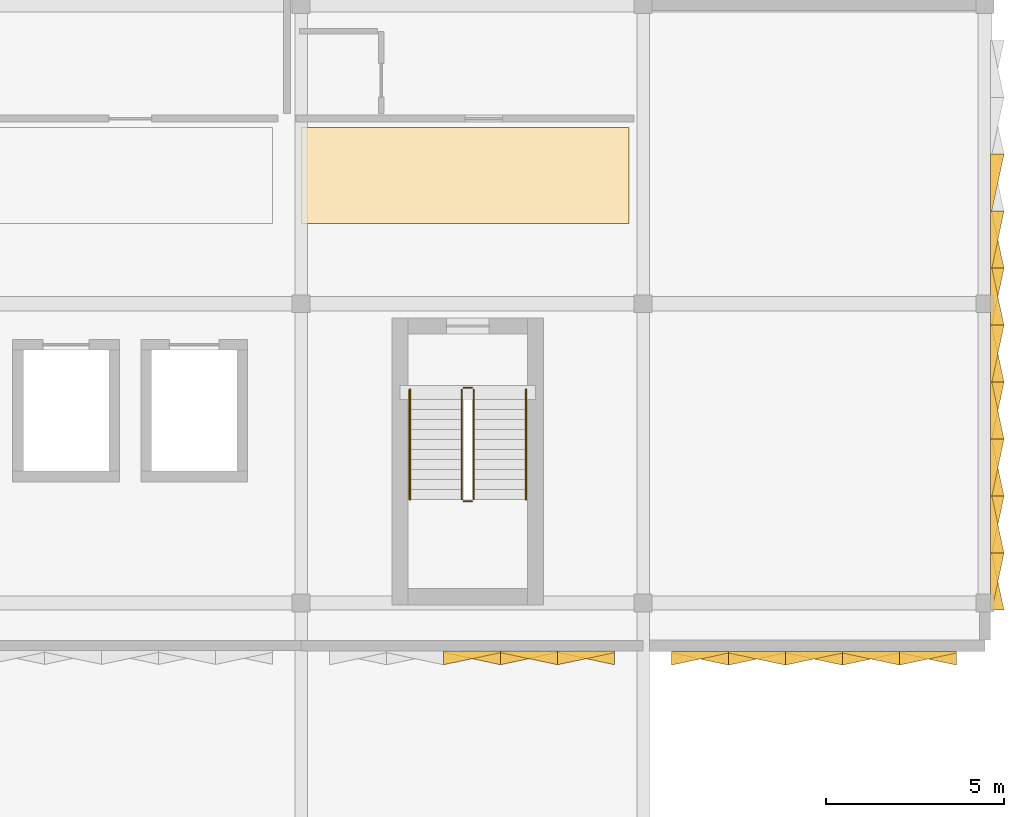
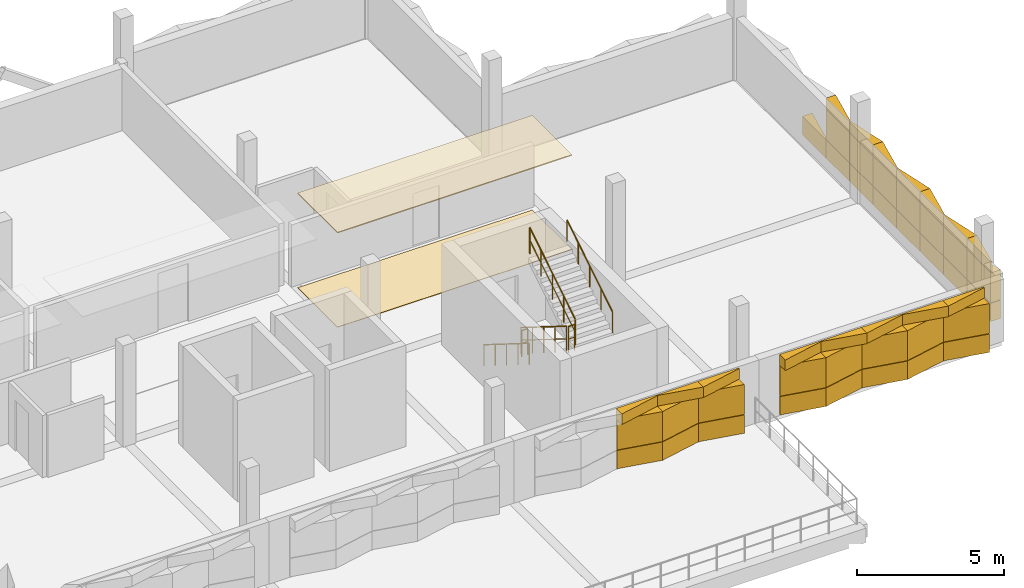
# One storey, part 12 of 13: 48 coverings, 6 railings.
"""IFC4 building model written with IfcOpenShell, lengths in metres."""

import ifcopenshell
import ifcopenshell.guid

model = None  # the IFC model being written
_history = None  # IfcOwnerHistory: only IFC2X3 demands one
_inside = {}  # id of a spatial element -> (the spatial element, [elements in it])
_under = {}  # id of a project, library or spatial element -> (it, [spatial elements below it])
_declared = {}  # id of a project -> (the project, [libraries it declares])
_typed = {}  # id of a type object -> (the type object, [elements of that type])
_made_of = {}  # id of a material, layer set ... -> (it, [elements and type objects made of it])


def new_model(schema):
    """Start an empty IFC model of exactly this schema.

    Asked for "IFC4X3", IfcOpenShell would pick the latest addendum, in which some entities
    have other attributes; the version numbers below select the first issue.
    IFC2X3 requires an IfcOwnerHistory on every rooted entity: one is made here for all.
    """
    global model, _history
    if schema == "IFC4X3":
        model = ifcopenshell.file(schema_version=(4, 3, 0, 0))
    else:
        model = ifcopenshell.file(schema=schema)
    _inside.clear()
    _under.clear()
    _declared.clear()
    _typed.clear()
    _made_of.clear()
    _history = None
    if model.schema == "IFC2X3":
        org = make("IfcOrganization", Name="unknown")
        user = make(
            "IfcPersonAndOrganization",
            ThePerson=make("IfcPerson", FamilyName="unknown"),
            TheOrganization=org,
        )
        app = make(
            "IfcApplication",
            ApplicationDeveloper=org,
            Version="unknown",
            ApplicationFullName="unknown",
            ApplicationIdentifier="unknown",
        )
        _history = make(
            "IfcOwnerHistory",
            OwningUser=user,
            OwningApplication=app,
            ChangeAction="ADDED",
            CreationDate=0,
        )
    return model


def make(cls, **values):
    """One entity of the class cls with the attributes given. An attribute that is None is left unset."""
    return model.create_entity(
        cls, **{name: value for name, value in values.items() if value is not None}
    )


def rooted(cls, **values):
    """An entity with a GlobalId (a new one), such as an element, a storey or a relation."""
    return make(cls, GlobalId=ifcopenshell.guid.new(), OwnerHistory=_history, **values)


def si_unit(unit_type, name, prefix=None):
    """IfcSIUnit, for example si_unit("LENGTHUNIT", "METRE", prefix="MILLI")."""
    return make("IfcSIUnit", UnitType=unit_type, Prefix=prefix, Name=name)


def assignment(units):
    """IfcUnitAssignment: the units of a project."""
    return None if units is None else make("IfcUnitAssignment", Units=units)


def point(xyz):
    """IfcCartesianPoint."""
    return None if xyz is None else make("IfcCartesianPoint", Coordinates=xyz)


def direction(xyz):
    """IfcDirection."""
    return None if xyz is None else make("IfcDirection", DirectionRatios=xyz)


def frame(location, z_axis=None, x_axis=None):
    """IfcAxis2Placement3D, a coordinate frame: its origin and axes. An axis left out is left unset."""
    return make(
        "IfcAxis2Placement3D",
        Location=point(location),
        Axis=direction(z_axis),
        RefDirection=direction(x_axis),
    )


def frame_2d(location, x_axis=None):
    """IfcAxis2Placement2D, a coordinate frame in the plane: its origin and x axis."""
    return make(
        "IfcAxis2Placement2D", Location=point(location), RefDirection=direction(x_axis)
    )


def origin():
    """The frame at (0, 0, 0) with its axes left unset."""
    return frame((0.0, 0.0, 0.0))


def origin_2d():
    """The frame at (0, 0) in the plane with its x axis left unset."""
    return frame_2d((0.0, 0.0))


def place(relative_to, where):
    """IfcLocalPlacement: puts the frame where relative to a parent placement (None: the world)."""
    return make(
        "IfcLocalPlacement", PlacementRelTo=relative_to, RelativePlacement=where
    )


def context(
    kind, dimensions, precision=None, world=None, true_north=None, identifier=None
):
    """IfcGeometricRepresentationContext, for example the 3D "Model" context."""
    return make(
        "IfcGeometricRepresentationContext",
        ContextIdentifier=identifier,
        ContextType=kind,
        CoordinateSpaceDimension=dimensions,
        Precision=precision,
        WorldCoordinateSystem=world,
        TrueNorth=true_north,
    )


def subcontext(parent, identifier, kind, view, scale=None):
    """IfcGeometricRepresentationSubContext, for example "Body" below "Model"."""
    return make(
        "IfcGeometricRepresentationSubContext",
        ContextIdentifier=identifier,
        ContextType=kind,
        ParentContext=parent,
        TargetScale=scale,
        TargetView=view,
    )


def project(units=None, contexts=None):
    """IfcProject with its units and contexts."""
    return rooted(
        "IfcProject",
        Name="project",
        RepresentationContexts=contexts,
        UnitsInContext=assignment(units),
    )


def spatial(cls, under=None, at=None, **own):
    """A site, building, storey or space (cls), placed at a placement, below another one or the project."""
    s = rooted(cls, ObjectPlacement=at, **own)
    if under is not None:
        _under.setdefault(under.id(), (under, []))[1].append(s)
    return s


def polyline(points):
    """IfcPolyline through the points."""
    return make("IfcPolyline", Points=[point(p) for p in points])


def profile(cls, at=None, kind="AREA", **sizes):
    """A parametric profile (cls). Its sizes go by their IFC names, for example OverallWidth=200.0."""
    return make(cls, ProfileType=kind, Position=at, **sizes)


def circle(**sizes):
    """IfcCircleProfileDef."""
    return profile("IfcCircleProfileDef", **sizes)


def outline(outer, holes=None, kind="AREA"):
    """IfcArbitraryClosedProfileDef: a profile drawn as a closed curve; with holes, ...WithVoids."""
    if holes is None:
        return make("IfcArbitraryClosedProfileDef", ProfileType=kind, OuterCurve=outer)
    return make(
        "IfcArbitraryProfileDefWithVoids",
        ProfileType=kind,
        OuterCurve=outer,
        InnerCurves=holes,
    )


def extrude(swept, where, along, depth):
    """IfcExtrudedAreaSolid: the profile swept, set in the frame where, extruded along a direction by depth."""
    return make(
        "IfcExtrudedAreaSolid",
        SweptArea=swept,
        Position=where,
        ExtrudedDirection=direction(along),
        Depth=depth,
    )


def shape(context_of_items, identifier, shape_type, items):
    """IfcShapeRepresentation: the items that make up one representation, for example the "Body"."""
    return make(
        "IfcShapeRepresentation",
        ContextOfItems=context_of_items,
        RepresentationIdentifier=identifier,
        RepresentationType=shape_type,
        Items=items,
    )


def material(Name=None, Category=None):
    """IfcMaterial."""
    return make("IfcMaterial", Name=Name, Category=Category)


def layer(
    of_material, thickness, ventilated=None, Name=None, Category=None, Priority=None
):
    """IfcMaterialLayer: one layer of a wall or slab, of a material (None: an air gap)."""
    return make(
        "IfcMaterialLayer",
        Material=of_material,
        LayerThickness=thickness,
        IsVentilated=ventilated,
        Name=Name,
        Category=Category,
        Priority=Priority,
    )


def layer_set(layers, Name=None):
    """IfcMaterialLayerSet."""
    return make("IfcMaterialLayerSet", MaterialLayers=layers, LayerSetName=Name)


def made_of(thing, what):
    """Note that an element or type object is made of a material, layer set ...; save() writes the relation."""
    if what is not None:
        _made_of.setdefault(what.id(), (what, []))[1].append(thing)
    return thing


def type_object(cls, material=None, **own):
    """A type object (cls), such as IfcWallType, which elements share."""
    return made_of(rooted(cls, **own), material)


def element(
    cls,
    number,
    at=None,
    inside=None,
    cuts=None,
    type_object=None,
    material=None,
    context=None,
    identifier="Body",
    shape_type=None,
    held_by="IfcProductDefinitionShape",
    body=None,
    shapes=None,
    **own,
):
    """One element of the class cls, such as IfcWall. Its Tag is "e" and its number.

    at: its placement. inside: the storey or other place that contains it. cuts: it is an
    opening in that element (IfcRelVoidsElement). A single representation is given by context,
    identifier, shape_type and body (its items); several are given by shapes. held_by: the class
    of the entity that holds the representations. save() writes the other relations.
    """
    e = rooted(cls, Tag="e%d" % number, ObjectPlacement=at, **own)
    if body is not None:
        shapes = [shape(context, identifier, shape_type, body)]
    if shapes is not None:
        e.Representation = make(held_by, Representations=shapes)
    if inside is not None:
        _inside.setdefault(inside.id(), (inside, []))[1].append(e)
    if cuts is not None:
        rooted(
            "IfcRelVoidsElement", RelatingBuildingElement=cuts, RelatedOpeningElement=e
        )
    if type_object is not None:
        _typed.setdefault(type_object.id(), (type_object, []))[1].append(e)
    return made_of(e, material)


def aggregate(whole, parts):
    """IfcRelAggregates: a whole, such as a stair, and the parts it consists of."""
    return rooted("IfcRelAggregates", RelatingObject=whole, RelatedObjects=parts)


def save(model, path):
    """Write the relations noted so far, then the file.

    IfcRelAggregates (storeys below a building ...), IfcRelContainedInSpatialStructure (elements
    in a storey), IfcRelDefinesByType, IfcRelAssociatesMaterial and IfcRelDeclares: one each for
    every whole, place, type object, material and project.
    """
    for whole, parts in _under.values():
        aggregate(whole, parts)
    for where, things in _inside.values():
        rooted(
            "IfcRelContainedInSpatialStructure",
            RelatedElements=things,
            RelatingStructure=where,
        )
    for kind, things in _typed.values():
        rooted("IfcRelDefinesByType", RelatedObjects=things, RelatingType=kind)
    for what, things in _made_of.values():
        rooted("IfcRelAssociatesMaterial", RelatedObjects=things, RelatingMaterial=what)
    for by, libraries in _declared.values():
        rooted("IfcRelDeclares", RelatingContext=by, RelatedDefinitions=libraries)
    model.write(path)


model = new_model("IFC4")

# Units and contexts
model_context = context("Model", 3, precision=1e-05, world=origin(), true_north=direction((0.0, 1.0)))
body_context = subcontext(model_context, "Body", "Model", "MODEL_VIEW")
ifc_project = project(units=[si_unit("LENGTHUNIT", "METRE"), si_unit("AREAUNIT", "SQUARE_METRE"), si_unit("VOLUMEUNIT", "CUBIC_METRE"), si_unit("PLANEANGLEUNIT", "RADIAN"), si_unit("MASSUNIT", "GRAM", prefix="KILO")], contexts=[model_context])

# Site, building, storey
site_placement = place(None, origin())
site = spatial("IfcSite", under=ifc_project, at=site_placement, CompositionType="ELEMENT")
building_placement = place(site_placement, origin())
building = spatial("IfcBuilding", under=site, at=building_placement, Name="Oolite Switchyard Hospital", CompositionType="ELEMENT")
storey_placement = place(building_placement, frame((0.0, 0.0, 30.39990234375)))
storey = spatial("IfcBuildingStorey", under=building, at=storey_placement, Name="L07", CompositionType="ELEMENT", Elevation=30.39990234375)

# Coverings
ifc_material_1 = material(Name="Hygienic washable mineral-fibre acoustic ceiling")
ifc_layer_1 = layer(ifc_material_1, 0.0400390625)
ifc_layer_set_1 = layer_set([ifc_layer_1], Name="COV-CEIL-AC60")
covering_type_1 = type_object("IfcCoveringType", Name="COV-CEIL-AC60", PredefinedType="CEILING", material=ifc_layer_set_1)
covering_1_placement = place(storey_placement, frame((0.0, 0.0, 3.91015625)))
element("IfcCovering", 1, at=covering_1_placement, inside=storey, type_object=covering_type_1, Name="L07 Transplant and AIIR Isolation Ward Corridor Ceiling 6", PredefinedType="CEILING", context=body_context, shape_type="SweptSolid", body=[
    extrude(outline(polyline([(192.0, 119.85009765625), (201.199951171875, 119.85009765625), (201.199951171875, 122.550048828125), (192.0, 122.550048828125), (192.0, 119.85009765625)])), origin(), (0.0, 0.0, 1.0), 0.0400390625),
])
ifc_material_2 = material(Name="Precast oolitic limestone architectural concrete C40/50", Category="masonry")
covering_type_2 = type_object("IfcCoveringType", Name="COV-CHEV-COOL", PredefinedType="CLADDING", material=ifc_material_2)
covering_2_placement = place(storey_placement, frame((200.800048828125, 107.85009765625, 0.050048828125), z_axis=(0.0, 0.0, 1.0), x_axis=(-1.0, 0.0, 0.0)))
element("IfcCovering", 2, at=covering_2_placement, inside=storey, type_object=covering_type_2, Name="L07 Chevron Precast Oolite Panel 1748", PredefinedType="CLADDING", context=body_context, shape_type="SweptSolid", body=[
    extrude(outline(polyline([(0.0, 0.0), (1.60009765625, 0.0), (1.60009765625, 0.044921875), (0.0, 0.385009765625), (0.0, 0.0)])), origin(), (0.0, 0.0, 1.0), 0.760009765625),
])
covering_3_placement = place(storey_placement, frame((200.800048828125, 107.85009765625, 2.090087890625), z_axis=(0.0, 0.0, 1.0), x_axis=(-1.0, 0.0, 0.0)))
element("IfcCovering", 3, at=covering_3_placement, inside=storey, type_object=covering_type_2, Name="L07 Chevron Precast Oolite Panel 1749", PredefinedType="CLADDING", context=body_context, shape_type="SweptSolid", body=[
    extrude(outline(polyline([(0.0, 0.0), (1.60009765625, 0.0), (1.60009765625, 0.385009765625), (0.0, 0.044921875), (0.0, 0.0)])), origin(), (0.0, 0.0, 1.0), 0.43994140625),
])
covering_4_placement = place(storey_placement, frame((200.800048828125, 107.85009765625, 0.830078125), z_axis=(0.0, 0.0, 1.0), x_axis=(-1.0, 0.0, 0.0)))
element("IfcCovering", 4, at=covering_4_placement, inside=storey, type_object=covering_type_2, Name="L07 Chevron Precast Oolite Panel 1750", PredefinedType="CLADDING", context=body_context, shape_type="SweptSolid", body=[
    extrude(outline(polyline([(0.0, 0.0), (1.60009765625, 0.0), (1.60009765625, 0.044921875), (0.0, 0.385009765625), (0.0, 0.0)])), origin(), (0.0, 0.0, 1.0), 1.239990234375),
])
covering_5_placement = place(storey_placement, frame((199.199951171875, 107.85009765625, 0.050048828125), z_axis=(0.0, 0.0, 1.0), x_axis=(-1.0, 0.0, 0.0)))
element("IfcCovering", 5, at=covering_5_placement, inside=storey, type_object=covering_type_2, Name="L07 Chevron Precast Oolite Panel 1751", PredefinedType="CLADDING", context=body_context, shape_type="SweptSolid", body=[
    extrude(outline(polyline([(0.0, 0.0), (1.599853515625, 0.0), (1.599853515625, 0.385009765625), (0.0, 0.044921875), (0.0, 0.0)])), origin(), (0.0, 0.0, 1.0), 0.760009765625),
])
covering_6_placement = place(storey_placement, frame((199.199951171875, 107.85009765625, 2.090087890625), z_axis=(0.0, 0.0, 1.0), x_axis=(-1.0, 0.0, 0.0)))
element("IfcCovering", 6, at=covering_6_placement, inside=storey, type_object=covering_type_2, Name="L07 Chevron Precast Oolite Panel 1752", PredefinedType="CLADDING", context=body_context, shape_type="SweptSolid", body=[
    extrude(outline(polyline([(0.0, 0.0), (1.599853515625, 0.0), (1.599853515625, 0.044921875), (0.0, 0.385009765625), (0.0, 0.0)])), origin(), (0.0, 0.0, 1.0), 0.43994140625),
])
covering_7_placement = place(storey_placement, frame((199.199951171875, 107.85009765625, 0.830078125), z_axis=(0.0, 0.0, 1.0), x_axis=(-1.0, 0.0, 0.0)))
element("IfcCovering", 7, at=covering_7_placement, inside=storey, type_object=covering_type_2, Name="L07 Chevron Precast Oolite Panel 1753", PredefinedType="CLADDING", context=body_context, shape_type="SweptSolid", body=[
    extrude(outline(polyline([(0.0, 0.0), (1.599853515625, 0.0), (1.599853515625, 0.385009765625), (0.0, 0.044921875), (0.0, 0.0)])), origin(), (0.0, 0.0, 1.0), 1.239990234375),
])
covering_8_placement = place(storey_placement, frame((197.60009765625, 107.85009765625, 0.050048828125), z_axis=(0.0, 0.0, 1.0), x_axis=(-1.0, 0.0, 0.0)))
element("IfcCovering", 8, at=covering_8_placement, inside=storey, type_object=covering_type_2, Name="L07 Chevron Precast Oolite Panel 1754", PredefinedType="CLADDING", context=body_context, shape_type="SweptSolid", body=[
    extrude(outline(polyline([(0.0, 0.0), (1.60009765625, 0.0), (1.60009765625, 0.044921875), (0.0, 0.385009765625), (0.0, 0.0)])), origin(), (0.0, 0.0, 1.0), 0.760009765625),
])
covering_9_placement = place(storey_placement, frame((197.60009765625, 107.85009765625, 2.090087890625), z_axis=(0.0, 0.0, 1.0), x_axis=(-1.0, 0.0, 0.0)))
element("IfcCovering", 9, at=covering_9_placement, inside=storey, type_object=covering_type_2, Name="L07 Chevron Precast Oolite Panel 1755", PredefinedType="CLADDING", context=body_context, shape_type="SweptSolid", body=[
    extrude(outline(polyline([(0.0, 0.0), (1.60009765625, 0.0), (1.60009765625, 0.385009765625), (0.0, 0.044921875), (0.0, 0.0)])), origin(), (0.0, 0.0, 1.0), 0.43994140625),
])
covering_10_placement = place(storey_placement, frame((197.60009765625, 107.85009765625, 0.830078125), z_axis=(0.0, 0.0, 1.0), x_axis=(-1.0, 0.0, 0.0)))
element("IfcCovering", 10, at=covering_10_placement, inside=storey, type_object=covering_type_2, Name="L07 Chevron Precast Oolite Panel 1756", PredefinedType="CLADDING", context=body_context, shape_type="SweptSolid", body=[
    extrude(outline(polyline([(0.0, 0.0), (1.60009765625, 0.0), (1.60009765625, 0.044921875), (0.0, 0.385009765625), (0.0, 0.0)])), origin(), (0.0, 0.0, 1.0), 1.239990234375),
])
covering_11_placement = place(storey_placement, frame((210.39990234375, 107.840087890625, 0.050048828125), z_axis=(0.0, 0.0, 1.0), x_axis=(-1.0, 0.0, 0.0)))
element("IfcCovering", 11, at=covering_11_placement, inside=storey, type_object=covering_type_2, Name="L07 Chevron Precast Oolite Panel 1763", PredefinedType="CLADDING", context=body_context, shape_type="SweptSolid", body=[
    extrude(outline(polyline([(0.0, 0.0), (1.599853515625, 0.0), (1.599853515625, 0.044921875), (0.0, 0.385009765625), (0.0, 0.0)])), origin(), (0.0, 0.0, 1.0), 0.760009765625),
])
covering_12_placement = place(storey_placement, frame((210.39990234375, 107.840087890625, 2.090087890625), z_axis=(0.0, 0.0, 1.0), x_axis=(-1.0, 0.0, 0.0)))
element("IfcCovering", 12, at=covering_12_placement, inside=storey, type_object=covering_type_2, Name="L07 Chevron Precast Oolite Panel 1764", PredefinedType="CLADDING", context=body_context, shape_type="SweptSolid", body=[
    extrude(outline(polyline([(0.0, 0.0), (1.599853515625, 0.0), (1.599853515625, 0.385009765625), (0.0, 0.044921875), (0.0, 0.0)])), origin(), (0.0, 0.0, 1.0), 0.43994140625),
])
covering_13_placement = place(storey_placement, frame((210.39990234375, 107.840087890625, 0.830078125), z_axis=(0.0, 0.0, 1.0), x_axis=(-1.0, 0.0, 0.0)))
element("IfcCovering", 13, at=covering_13_placement, inside=storey, type_object=covering_type_2, Name="L07 Chevron Precast Oolite Panel 1765", PredefinedType="CLADDING", context=body_context, shape_type="SweptSolid", body=[
    extrude(outline(polyline([(0.0, 0.0), (1.599853515625, 0.0), (1.599853515625, 0.044921875), (0.0, 0.385009765625), (0.0, 0.0)])), origin(), (0.0, 0.0, 1.0), 1.239990234375),
])
covering_14_placement = place(storey_placement, frame((208.800048828125, 107.840087890625, 0.050048828125), z_axis=(0.0, 0.0, 1.0), x_axis=(-1.0, 0.0, 0.0)))
element("IfcCovering", 14, at=covering_14_placement, inside=storey, type_object=covering_type_2, Name="L07 Chevron Precast Oolite Panel 1766", PredefinedType="CLADDING", context=body_context, shape_type="SweptSolid", body=[
    extrude(outline(polyline([(0.0, 0.0), (1.60009765625, 0.0), (1.60009765625, 0.385009765625), (0.0, 0.044921875), (0.0, 0.0)])), origin(), (0.0, 0.0, 1.0), 0.760009765625),
])
covering_15_placement = place(storey_placement, frame((208.800048828125, 107.840087890625, 2.090087890625), z_axis=(0.0, 0.0, 1.0), x_axis=(-1.0, 0.0, 0.0)))
element("IfcCovering", 15, at=covering_15_placement, inside=storey, type_object=covering_type_2, Name="L07 Chevron Precast Oolite Panel 1767", PredefinedType="CLADDING", context=body_context, shape_type="SweptSolid", body=[
    extrude(outline(polyline([(0.0, 0.0), (1.60009765625, 0.0), (1.60009765625, 0.044921875), (0.0, 0.385009765625), (0.0, 0.0)])), origin(), (0.0, 0.0, 1.0), 0.43994140625),
])
covering_16_placement = place(storey_placement, frame((208.800048828125, 107.840087890625, 0.830078125), z_axis=(0.0, 0.0, 1.0), x_axis=(-1.0, 0.0, 0.0)))
element("IfcCovering", 16, at=covering_16_placement, inside=storey, type_object=covering_type_2, Name="L07 Chevron Precast Oolite Panel 1768", PredefinedType="CLADDING", context=body_context, shape_type="SweptSolid", body=[
    extrude(outline(polyline([(0.0, 0.0), (1.60009765625, 0.0), (1.60009765625, 0.385009765625), (0.0, 0.044921875), (0.0, 0.0)])), origin(), (0.0, 0.0, 1.0), 1.239990234375),
])
covering_17_placement = place(storey_placement, frame((207.199951171875, 107.840087890625, 0.050048828125), z_axis=(0.0, 0.0, 1.0), x_axis=(-1.0, 0.0, 0.0)))
element("IfcCovering", 17, at=covering_17_placement, inside=storey, type_object=covering_type_2, Name="L07 Chevron Precast Oolite Panel 1769", PredefinedType="CLADDING", context=body_context, shape_type="SweptSolid", body=[
    extrude(outline(polyline([(0.0, 0.0), (1.599853515625, 0.0), (1.599853515625, 0.044921875), (0.0, 0.385009765625), (0.0, 0.0)])), origin(), (0.0, 0.0, 1.0), 0.760009765625),
])
covering_18_placement = place(storey_placement, frame((207.199951171875, 107.840087890625, 2.090087890625), z_axis=(0.0, 0.0, 1.0), x_axis=(-1.0, 0.0, 0.0)))
element("IfcCovering", 18, at=covering_18_placement, inside=storey, type_object=covering_type_2, Name="L07 Chevron Precast Oolite Panel 1770", PredefinedType="CLADDING", context=body_context, shape_type="SweptSolid", body=[
    extrude(outline(polyline([(0.0, 0.0), (1.599853515625, 0.0), (1.599853515625, 0.385009765625), (0.0, 0.044921875), (0.0, 0.0)])), origin(), (0.0, 0.0, 1.0), 0.43994140625),
])
covering_19_placement = place(storey_placement, frame((207.199951171875, 107.840087890625, 0.830078125), z_axis=(0.0, 0.0, 1.0), x_axis=(-1.0, 0.0, 0.0)))
element("IfcCovering", 19, at=covering_19_placement, inside=storey, type_object=covering_type_2, Name="L07 Chevron Precast Oolite Panel 1771", PredefinedType="CLADDING", context=body_context, shape_type="SweptSolid", body=[
    extrude(outline(polyline([(0.0, 0.0), (1.599853515625, 0.0), (1.599853515625, 0.044921875), (0.0, 0.385009765625), (0.0, 0.0)])), origin(), (0.0, 0.0, 1.0), 1.239990234375),
])
covering_20_placement = place(storey_placement, frame((205.60009765625, 107.840087890625, 0.050048828125), z_axis=(0.0, 0.0, 1.0), x_axis=(-1.0, 0.0, 0.0)))
element("IfcCovering", 20, at=covering_20_placement, inside=storey, type_object=covering_type_2, Name="L07 Chevron Precast Oolite Panel 1772", PredefinedType="CLADDING", context=body_context, shape_type="SweptSolid", body=[
    extrude(outline(polyline([(0.0, 0.0), (1.60009765625, 0.0), (1.60009765625, 0.385009765625), (0.0, 0.044921875), (0.0, 0.0)])), origin(), (0.0, 0.0, 1.0), 0.760009765625),
])
covering_21_placement = place(storey_placement, frame((205.60009765625, 107.840087890625, 2.090087890625), z_axis=(0.0, 0.0, 1.0), x_axis=(-1.0, 0.0, 0.0)))
element("IfcCovering", 21, at=covering_21_placement, inside=storey, type_object=covering_type_2, Name="L07 Chevron Precast Oolite Panel 1773", PredefinedType="CLADDING", context=body_context, shape_type="SweptSolid", body=[
    extrude(outline(polyline([(0.0, 0.0), (1.60009765625, 0.0), (1.60009765625, 0.044921875), (0.0, 0.385009765625), (0.0, 0.0)])), origin(), (0.0, 0.0, 1.0), 0.43994140625),
])
covering_22_placement = place(storey_placement, frame((205.60009765625, 107.840087890625, 0.830078125), z_axis=(0.0, 0.0, 1.0), x_axis=(-1.0, 0.0, 0.0)))
element("IfcCovering", 22, at=covering_22_placement, inside=storey, type_object=covering_type_2, Name="L07 Chevron Precast Oolite Panel 1774", PredefinedType="CLADDING", context=body_context, shape_type="SweptSolid", body=[
    extrude(outline(polyline([(0.0, 0.0), (1.60009765625, 0.0), (1.60009765625, 0.385009765625), (0.0, 0.044921875), (0.0, 0.0)])), origin(), (0.0, 0.0, 1.0), 1.239990234375),
])
covering_23_placement = place(storey_placement, frame((204.0, 107.840087890625, 0.050048828125), z_axis=(0.0, 0.0, 1.0), x_axis=(-1.0, 0.0, 0.0)))
element("IfcCovering", 23, at=covering_23_placement, inside=storey, type_object=covering_type_2, Name="L07 Chevron Precast Oolite Panel 1775", PredefinedType="CLADDING", context=body_context, shape_type="SweptSolid", body=[
    extrude(outline(polyline([(0.0, 0.0), (1.60009765625, 0.0), (1.60009765625, 0.044921875), (0.0, 0.385009765625), (0.0, 0.0)])), origin(), (0.0, 0.0, 1.0), 0.760009765625),
])
covering_24_placement = place(storey_placement, frame((204.0, 107.840087890625, 2.090087890625), z_axis=(0.0, 0.0, 1.0), x_axis=(-1.0, 0.0, 0.0)))
element("IfcCovering", 24, at=covering_24_placement, inside=storey, type_object=covering_type_2, Name="L07 Chevron Precast Oolite Panel 1776", PredefinedType="CLADDING", context=body_context, shape_type="SweptSolid", body=[
    extrude(outline(polyline([(0.0, 0.0), (1.60009765625, 0.0), (1.60009765625, 0.385009765625), (0.0, 0.044921875), (0.0, 0.0)])), origin(), (0.0, 0.0, 1.0), 0.43994140625),
])
covering_25_placement = place(storey_placement, frame((204.0, 107.840087890625, 0.830078125), z_axis=(0.0, 0.0, 1.0), x_axis=(-1.0, 0.0, 0.0)))
element("IfcCovering", 25, at=covering_25_placement, inside=storey, type_object=covering_type_2, Name="L07 Chevron Precast Oolite Panel 1777", PredefinedType="CLADDING", context=body_context, shape_type="SweptSolid", body=[
    extrude(outline(polyline([(0.0, 0.0), (1.60009765625, 0.0), (1.60009765625, 0.044921875), (0.0, 0.385009765625), (0.0, 0.0)])), origin(), (0.0, 0.0, 1.0), 1.239990234375),
])
covering_26_placement = place(storey_placement, frame((211.35009765625, 121.800048828125, 0.050048828125), z_axis=(0.0, 0.0, 1.0), x_axis=(0.0, -1.0, 0.0)))
element("IfcCovering", 26, at=covering_26_placement, inside=storey, type_object=covering_type_2, Name="L07 Chevron Precast Oolite Panel 1910", PredefinedType="CLADDING", context=body_context, shape_type="SweptSolid", body=[
    extrude(outline(polyline([(0.0, 0.0), (1.60009765625, 0.0), (1.60009765625, 0.044921875), (0.0, 0.385009765625), (0.0, 0.0)])), origin(), (0.0, 0.0, 1.0), 0.760009765625),
])
covering_27_placement = place(storey_placement, frame((211.35009765625, 120.199951171875, 0.050048828125), z_axis=(0.0, 0.0, 1.0), x_axis=(0.0, -1.0, 0.0)))
element("IfcCovering", 27, at=covering_27_placement, inside=storey, type_object=covering_type_2, Name="L07 Chevron Precast Oolite Panel 1913", PredefinedType="CLADDING", context=body_context, shape_type="SweptSolid", body=[
    extrude(outline(polyline([(0.0, 0.0), (1.599853515625, 0.0), (1.599853515625, 0.385009765625), (0.0, 0.044921875), (0.0, 0.0)])), origin(), (0.0, 0.0, 1.0), 0.760009765625),
])
covering_28_placement = place(storey_placement, frame((211.35009765625, 120.199951171875, 2.090087890625), z_axis=(0.0, 0.0, 1.0), x_axis=(0.0, -1.0, 0.0)))
element("IfcCovering", 28, at=covering_28_placement, inside=storey, type_object=covering_type_2, Name="L07 Chevron Precast Oolite Panel 1914", PredefinedType="CLADDING", context=body_context, shape_type="SweptSolid", body=[
    extrude(outline(polyline([(0.0, 0.0), (1.599853515625, 0.0), (1.599853515625, 0.044921875), (0.0, 0.385009765625), (0.0, 0.0)])), origin(), (0.0, 0.0, 1.0), 0.43994140625),
])
covering_29_placement = place(storey_placement, frame((211.35009765625, 120.199951171875, 0.830078125), z_axis=(0.0, 0.0, 1.0), x_axis=(0.0, -1.0, 0.0)))
element("IfcCovering", 29, at=covering_29_placement, inside=storey, type_object=covering_type_2, Name="L07 Chevron Precast Oolite Panel 1915", PredefinedType="CLADDING", context=body_context, shape_type="SweptSolid", body=[
    extrude(outline(polyline([(0.0, 0.0), (1.599853515625, 0.0), (1.599853515625, 0.385009765625), (0.0, 0.044921875), (0.0, 0.0)])), origin(), (0.0, 0.0, 1.0), 1.239990234375),
])
covering_30_placement = place(storey_placement, frame((211.35009765625, 118.60009765625, 0.050048828125), z_axis=(0.0, 0.0, 1.0), x_axis=(0.0, -1.0, 0.0)))
element("IfcCovering", 30, at=covering_30_placement, inside=storey, type_object=covering_type_2, Name="L07 Chevron Precast Oolite Panel 1916", PredefinedType="CLADDING", context=body_context, shape_type="SweptSolid", body=[
    extrude(outline(polyline([(0.0, 0.0), (1.60009765625, 0.0), (1.60009765625, 0.044921875), (0.0, 0.385009765625), (0.0, 0.0)])), origin(), (0.0, 0.0, 1.0), 0.760009765625),
])
covering_31_placement = place(storey_placement, frame((211.35009765625, 118.60009765625, 2.090087890625), z_axis=(0.0, 0.0, 1.0), x_axis=(0.0, -1.0, 0.0)))
element("IfcCovering", 31, at=covering_31_placement, inside=storey, type_object=covering_type_2, Name="L07 Chevron Precast Oolite Panel 1917", PredefinedType="CLADDING", context=body_context, shape_type="SweptSolid", body=[
    extrude(outline(polyline([(0.0, 0.0), (1.60009765625, 0.0), (1.60009765625, 0.385009765625), (0.0, 0.044921875), (0.0, 0.0)])), origin(), (0.0, 0.0, 1.0), 0.43994140625),
])
covering_32_placement = place(storey_placement, frame((211.35009765625, 118.60009765625, 0.830078125), z_axis=(0.0, 0.0, 1.0), x_axis=(0.0, -1.0, 0.0)))
element("IfcCovering", 32, at=covering_32_placement, inside=storey, type_object=covering_type_2, Name="L07 Chevron Precast Oolite Panel 1918", PredefinedType="CLADDING", context=body_context, shape_type="SweptSolid", body=[
    extrude(outline(polyline([(0.0, 0.0), (1.60009765625, 0.0), (1.60009765625, 0.044921875), (0.0, 0.385009765625), (0.0, 0.0)])), origin(), (0.0, 0.0, 1.0), 1.239990234375),
])
covering_33_placement = place(storey_placement, frame((211.35009765625, 117.0, 0.050048828125), z_axis=(0.0, 0.0, 1.0), x_axis=(0.0, -1.0, 0.0)))
element("IfcCovering", 33, at=covering_33_placement, inside=storey, type_object=covering_type_2, Name="L07 Chevron Precast Oolite Panel 1919", PredefinedType="CLADDING", context=body_context, shape_type="SweptSolid", body=[
    extrude(outline(polyline([(0.0, 0.0), (1.60009765625, 0.0), (1.60009765625, 0.385009765625), (0.0, 0.044921875), (0.0, 0.0)])), origin(), (0.0, 0.0, 1.0), 0.760009765625),
])
covering_34_placement = place(storey_placement, frame((211.35009765625, 117.0, 2.090087890625), z_axis=(0.0, 0.0, 1.0), x_axis=(0.0, -1.0, 0.0)))
element("IfcCovering", 34, at=covering_34_placement, inside=storey, type_object=covering_type_2, Name="L07 Chevron Precast Oolite Panel 1920", PredefinedType="CLADDING", context=body_context, shape_type="SweptSolid", body=[
    extrude(outline(polyline([(0.0, 0.0), (1.60009765625, 0.0), (1.60009765625, 0.044921875), (0.0, 0.385009765625), (0.0, 0.0)])), origin(), (0.0, 0.0, 1.0), 0.43994140625),
])
covering_35_placement = place(storey_placement, frame((211.35009765625, 117.0, 0.830078125), z_axis=(0.0, 0.0, 1.0), x_axis=(0.0, -1.0, 0.0)))
element("IfcCovering", 35, at=covering_35_placement, inside=storey, type_object=covering_type_2, Name="L07 Chevron Precast Oolite Panel 1921", PredefinedType="CLADDING", context=body_context, shape_type="SweptSolid", body=[
    extrude(outline(polyline([(0.0, 0.0), (1.60009765625, 0.0), (1.60009765625, 0.385009765625), (0.0, 0.044921875), (0.0, 0.0)])), origin(), (0.0, 0.0, 1.0), 1.239990234375),
])
covering_36_placement = place(storey_placement, frame((211.35009765625, 115.39990234375, 0.050048828125), z_axis=(0.0, 0.0, 1.0), x_axis=(0.0, -1.0, 0.0)))
element("IfcCovering", 36, at=covering_36_placement, inside=storey, type_object=covering_type_2, Name="L07 Chevron Precast Oolite Panel 1922", PredefinedType="CLADDING", context=body_context, shape_type="SweptSolid", body=[
    extrude(outline(polyline([(0.0, 0.0), (1.599853515625, 0.0), (1.599853515625, 0.044921875), (0.0, 0.385009765625), (0.0, 0.0)])), origin(), (0.0, 0.0, 1.0), 0.760009765625),
])
covering_37_placement = place(storey_placement, frame((211.35009765625, 115.39990234375, 2.090087890625), z_axis=(0.0, 0.0, 1.0), x_axis=(0.0, -1.0, 0.0)))
element("IfcCovering", 37, at=covering_37_placement, inside=storey, type_object=covering_type_2, Name="L07 Chevron Precast Oolite Panel 1923", PredefinedType="CLADDING", context=body_context, shape_type="SweptSolid", body=[
    extrude(outline(polyline([(0.0, 0.0), (1.599853515625, 0.0), (1.599853515625, 0.385009765625), (0.0, 0.044921875), (0.0, 0.0)])), origin(), (0.0, 0.0, 1.0), 0.43994140625),
])
covering_38_placement = place(storey_placement, frame((211.35009765625, 115.39990234375, 0.830078125), z_axis=(0.0, 0.0, 1.0), x_axis=(0.0, -1.0, 0.0)))
element("IfcCovering", 38, at=covering_38_placement, inside=storey, type_object=covering_type_2, Name="L07 Chevron Precast Oolite Panel 1924", PredefinedType="CLADDING", context=body_context, shape_type="SweptSolid", body=[
    extrude(outline(polyline([(0.0, 0.0), (1.599853515625, 0.0), (1.599853515625, 0.044921875), (0.0, 0.385009765625), (0.0, 0.0)])), origin(), (0.0, 0.0, 1.0), 1.239990234375),
])
covering_39_placement = place(storey_placement, frame((211.35009765625, 113.800048828125, 0.050048828125), z_axis=(0.0, 0.0, 1.0), x_axis=(0.0, -1.0, 0.0)))
element("IfcCovering", 39, at=covering_39_placement, inside=storey, type_object=covering_type_2, Name="L07 Chevron Precast Oolite Panel 1925", PredefinedType="CLADDING", context=body_context, shape_type="SweptSolid", body=[
    extrude(outline(polyline([(0.0, 0.0), (1.60009765625, 0.0), (1.60009765625, 0.385009765625), (0.0, 0.044921875), (0.0, 0.0)])), origin(), (0.0, 0.0, 1.0), 0.760009765625),
])
covering_40_placement = place(storey_placement, frame((211.35009765625, 113.800048828125, 2.090087890625), z_axis=(0.0, 0.0, 1.0), x_axis=(0.0, -1.0, 0.0)))
element("IfcCovering", 40, at=covering_40_placement, inside=storey, type_object=covering_type_2, Name="L07 Chevron Precast Oolite Panel 1926", PredefinedType="CLADDING", context=body_context, shape_type="SweptSolid", body=[
    extrude(outline(polyline([(0.0, 0.0), (1.60009765625, 0.0), (1.60009765625, 0.044921875), (0.0, 0.385009765625), (0.0, 0.0)])), origin(), (0.0, 0.0, 1.0), 0.43994140625),
])
covering_41_placement = place(storey_placement, frame((211.35009765625, 113.800048828125, 0.830078125), z_axis=(0.0, 0.0, 1.0), x_axis=(0.0, -1.0, 0.0)))
element("IfcCovering", 41, at=covering_41_placement, inside=storey, type_object=covering_type_2, Name="L07 Chevron Precast Oolite Panel 1927", PredefinedType="CLADDING", context=body_context, shape_type="SweptSolid", body=[
    extrude(outline(polyline([(0.0, 0.0), (1.60009765625, 0.0), (1.60009765625, 0.385009765625), (0.0, 0.044921875), (0.0, 0.0)])), origin(), (0.0, 0.0, 1.0), 1.239990234375),
])
covering_42_placement = place(storey_placement, frame((211.35009765625, 112.199951171875, 0.050048828125), z_axis=(0.0, 0.0, 1.0), x_axis=(0.0, -1.0, 0.0)))
element("IfcCovering", 42, at=covering_42_placement, inside=storey, type_object=covering_type_2, Name="L07 Chevron Precast Oolite Panel 1928", PredefinedType="CLADDING", context=body_context, shape_type="SweptSolid", body=[
    extrude(outline(polyline([(0.0, 0.0), (1.599853515625, 0.0), (1.599853515625, 0.044921875), (0.0, 0.385009765625), (0.0, 0.0)])), origin(), (0.0, 0.0, 1.0), 0.760009765625),
])
covering_43_placement = place(storey_placement, frame((211.35009765625, 112.199951171875, 2.090087890625), z_axis=(0.0, 0.0, 1.0), x_axis=(0.0, -1.0, 0.0)))
element("IfcCovering", 43, at=covering_43_placement, inside=storey, type_object=covering_type_2, Name="L07 Chevron Precast Oolite Panel 1929", PredefinedType="CLADDING", context=body_context, shape_type="SweptSolid", body=[
    extrude(outline(polyline([(0.0, 0.0), (1.599853515625, 0.0), (1.599853515625, 0.385009765625), (0.0, 0.044921875), (0.0, 0.0)])), origin(), (0.0, 0.0, 1.0), 0.43994140625),
])
covering_44_placement = place(storey_placement, frame((211.35009765625, 112.199951171875, 0.830078125), z_axis=(0.0, 0.0, 1.0), x_axis=(0.0, -1.0, 0.0)))
element("IfcCovering", 44, at=covering_44_placement, inside=storey, type_object=covering_type_2, Name="L07 Chevron Precast Oolite Panel 1930", PredefinedType="CLADDING", context=body_context, shape_type="SweptSolid", body=[
    extrude(outline(polyline([(0.0, 0.0), (1.599853515625, 0.0), (1.599853515625, 0.044921875), (0.0, 0.385009765625), (0.0, 0.0)])), origin(), (0.0, 0.0, 1.0), 1.239990234375),
])
covering_45_placement = place(storey_placement, frame((211.35009765625, 110.60009765625, 0.050048828125), z_axis=(0.0, 0.0, 1.0), x_axis=(0.0, -1.0, 0.0)))
element("IfcCovering", 45, at=covering_45_placement, inside=storey, type_object=covering_type_2, Name="L07 Chevron Precast Oolite Panel 1931", PredefinedType="CLADDING", context=body_context, shape_type="SweptSolid", body=[
    extrude(outline(polyline([(0.0, 0.0), (1.60009765625, 0.0), (1.60009765625, 0.385009765625), (0.0, 0.044921875), (0.0, 0.0)])), origin(), (0.0, 0.0, 1.0), 0.760009765625),
])
covering_46_placement = place(storey_placement, frame((211.35009765625, 110.60009765625, 2.090087890625), z_axis=(0.0, 0.0, 1.0), x_axis=(0.0, -1.0, 0.0)))
element("IfcCovering", 46, at=covering_46_placement, inside=storey, type_object=covering_type_2, Name="L07 Chevron Precast Oolite Panel 1932", PredefinedType="CLADDING", context=body_context, shape_type="SweptSolid", body=[
    extrude(outline(polyline([(0.0, 0.0), (1.60009765625, 0.0), (1.60009765625, 0.044921875), (0.0, 0.385009765625), (0.0, 0.0)])), origin(), (0.0, 0.0, 1.0), 0.43994140625),
])
covering_47_placement = place(storey_placement, frame((211.35009765625, 110.60009765625, 0.830078125), z_axis=(0.0, 0.0, 1.0), x_axis=(0.0, -1.0, 0.0)))
element("IfcCovering", 47, at=covering_47_placement, inside=storey, type_object=covering_type_2, Name="L07 Chevron Precast Oolite Panel 1933", PredefinedType="CLADDING", context=body_context, shape_type="SweptSolid", body=[
    extrude(outline(polyline([(0.0, 0.0), (1.60009765625, 0.0), (1.60009765625, 0.385009765625), (0.0, 0.044921875), (0.0, 0.0)])), origin(), (0.0, 0.0, 1.0), 1.239990234375),
])
ifc_material_3 = material(Name="Epoxy terrazzo seamless clinical flooring")
ifc_layer_2 = layer(ifc_material_3, 0.02001953125)
ifc_layer_set_2 = layer_set([ifc_layer_2], Name="COV-FLR-TER20")
covering_type_3 = type_object("IfcCoveringType", Name="COV-FLR-TER20", PredefinedType="FLOORING", material=ifc_layer_set_2)
covering_48_placement = place(storey_placement, origin())
element("IfcCovering", 48, at=covering_48_placement, inside=storey, type_object=covering_type_3, Name="L07 Transplant and AIIR Isolation Ward Corridor Flooring 6", PredefinedType="FLOORING", context=body_context, shape_type="SweptSolid", body=[
    extrude(outline(polyline([(192.0, 119.85009765625), (201.199951171875, 119.85009765625), (201.199951171875, 122.550048828125), (192.0, 122.550048828125), (192.0, 119.85009765625)])), origin(), (0.0, 0.0, 1.0), 0.02001953125),
])

# Railings
ifc_material_4 = material(Name="Galvanized painted architectural steel handrail", Category="steel")
railing_type_1 = type_object("IfcRailingType", Name="RL-STAIR-GRD", PredefinedType="GUARDRAIL", material=ifc_material_4)
railing_1_placement = place(storey_placement, frame((196.510009765625, 115.18994140625, 0.175048828125)))
element("IfcRailing", 49, at=railing_1_placement, inside=storey, type_object=railing_type_1, Name="L07 ST-04 stair guard 1", PredefinedType="GUARDRAIL", context=body_context, shape_type="SweptSolid", body=[
    extrude(circle(Radius=0.02392578125, at=origin_2d()), frame((0.0, 0.0, 1.076171875), z_axis=(0.0, -0.847979421464, 0.530029150871), x_axis=(1.0, 0.0, 0.0)), (0.0, 0.0, 1.0), 3.632080078125),
    extrude(circle(Radius=0.015625, at=origin_2d()), frame((0.0, 0.0, 0.550048828125), z_axis=(0.0, -0.847979421464, 0.530029150871), x_axis=(1.0, 0.0, 0.0)), (0.0, 0.0, 1.0), 3.632080078125),
    extrude(circle(Radius=0.02099609375, at=origin_2d()), origin(), (0.0, 0.0, 1.0), 1.052001953125),
    extrude(circle(Radius=0.02099609375, at=origin_2d()), frame((0.0, -0.77001953125, 0.481201171875)), (0.0, 0.0, 1.0), 1.052001953125),
    extrude(circle(Radius=0.02099609375, at=origin_2d()), frame((0.0, -1.5400390625, 0.96240234375)), (0.0, 0.0, 1.0), 1.052001953125),
    extrude(circle(Radius=0.02099609375, at=origin_2d()), frame((0.0, -2.309814453125, 1.44384765625)), (0.0, 0.0, 1.0), 1.052001953125),
    extrude(circle(Radius=0.02099609375, at=origin_2d()), frame((0.0, -3.079833984375, 1.925048828125)), (0.0, 0.0, 1.0), 1.052001953125),
])
railing_2_placement = place(storey_placement, frame((196.56005859375, 112.06005859375, 2.10009765625)))
element("IfcRailing", 50, at=railing_2_placement, inside=storey, type_object=railing_type_1, Name="L07 ST-04 stair guard 2", PredefinedType="GUARDRAIL", context=body_context, shape_type="SweptSolid", body=[
    extrude(circle(Radius=0.02392578125, at=origin_2d()), frame((0.0, 0.0, 1.076171875), z_axis=(1.0, 0.0, 0.0), x_axis=(0.0, 1.0, 0.0)), (0.0, 0.0, 1.0), 0.239990234375),
    extrude(circle(Radius=0.015625, at=origin_2d()), frame((0.0, 0.0, 0.550048828125), z_axis=(1.0, 0.0, 0.0), x_axis=(0.0, 1.0, 0.0)), (0.0, 0.0, 1.0), 0.239990234375),
    extrude(circle(Radius=0.02099609375, at=origin_2d()), origin(), (0.0, 0.0, 1.0), 1.052001953125),
    extrude(circle(Radius=0.02099609375, at=origin_2d()), frame((0.239990234375, 0.0, 0.0)), (0.0, 0.0, 1.0), 1.052001953125),
])
railing_3_placement = place(storey_placement, frame((196.85009765625, 112.110107421875, 2.275146484375)))
element("IfcRailing", 51, at=railing_3_placement, inside=storey, type_object=railing_type_1, Name="L07 ST-04 stair guard 3", PredefinedType="GUARDRAIL", context=body_context, shape_type="SweptSolid", body=[
    extrude(circle(Radius=0.02392578125, at=origin_2d()), frame((0.0, 0.0, 1.076171875), z_axis=(0.0, 0.847979421464, 0.530029150871), x_axis=(-1.0, 0.0, 0.0)), (0.0, 0.0, 1.0), 3.632080078125),
    extrude(circle(Radius=0.015625, at=origin_2d()), frame((0.0, 0.0, 0.550048828125), z_axis=(0.0, 0.847979421464, 0.530029150871), x_axis=(-1.0, 0.0, 0.0)), (0.0, 0.0, 1.0), 3.632080078125),
    extrude(circle(Radius=0.02099609375, at=origin_2d()), origin(), (0.0, 0.0, 1.0), 1.052001953125),
    extrude(circle(Radius=0.02099609375, at=origin_2d()), frame((0.0, 0.77001953125, 0.481201171875)), (0.0, 0.0, 1.0), 1.052001953125),
    extrude(circle(Radius=0.02099609375, at=origin_2d()), frame((0.0, 1.5400390625, 0.96240234375)), (0.0, 0.0, 1.0), 1.052001953125),
    extrude(circle(Radius=0.02099609375, at=origin_2d()), frame((0.0, 2.309814453125, 1.44384765625)), (0.0, 0.0, 1.0), 1.052001953125),
    extrude(circle(Radius=0.02099609375, at=origin_2d()), frame((0.0, 3.079833984375, 1.925048828125)), (0.0, 0.0, 1.0), 1.052001953125),
])
railing_4_placement = place(storey_placement, frame((196.56005859375, 115.239990234375, 0.0)))
element("IfcRailing", 52, at=railing_4_placement, inside=storey, type_object=railing_type_1, Name="L07 ST-04 stair guard 4", PredefinedType="GUARDRAIL", context=body_context, shape_type="SweptSolid", body=[
    extrude(circle(Radius=0.02392578125, at=origin_2d()), frame((0.0, 0.0, 1.076171875), z_axis=(1.0, 0.0, 0.0), x_axis=(0.0, 1.0, 0.0)), (0.0, 0.0, 1.0), 0.239990234375),
    extrude(circle(Radius=0.015625, at=origin_2d()), frame((0.0, 0.0, 0.550048828125), z_axis=(1.0, 0.0, 0.0), x_axis=(0.0, 1.0, 0.0)), (0.0, 0.0, 1.0), 0.239990234375),
    extrude(circle(Radius=0.02099609375, at=origin_2d()), origin(), (0.0, 0.0, 1.0), 1.052001953125),
    extrude(circle(Radius=0.02099609375, at=origin_2d()), frame((0.239990234375, 0.0, 0.0)), (0.0, 0.0, 1.0), 1.052001953125),
])
railing_type_2 = type_object("IfcRailingType", Name="RL-STAIR-HND", PredefinedType="HANDRAIL", material=ifc_material_4)
railing_5_placement = place(storey_placement, frame((195.050048828125, 115.18994140625, 0.175048828125)))
element("IfcRailing", 53, at=railing_5_placement, inside=storey, type_object=railing_type_2, Name="L07 ST-04 stair handrail 1", PredefinedType="HANDRAIL", context=body_context, shape_type="SweptSolid", body=[
    extrude(circle(Radius=0.02392578125, at=origin_2d()), frame((0.0, 0.0, 0.8759765625), z_axis=(0.0, -0.847979421464, 0.530029150871), x_axis=(1.0, 0.0, 0.0)), (0.0, 0.0, 1.0), 3.632080078125),
    extrude(circle(Radius=0.02099609375, at=origin_2d()), origin(), (0.0, 0.0, 1.0), 0.851806640625),
    extrude(circle(Radius=0.02099609375, at=origin_2d()), frame((0.0, -0.77001953125, 0.481201171875)), (0.0, 0.0, 1.0), 0.851806640625),
    extrude(circle(Radius=0.02099609375, at=origin_2d()), frame((0.0, -1.5400390625, 0.96240234375)), (0.0, 0.0, 1.0), 0.851806640625),
    extrude(circle(Radius=0.02099609375, at=origin_2d()), frame((0.0, -2.309814453125, 1.44384765625)), (0.0, 0.0, 1.0), 0.851806640625),
    extrude(circle(Radius=0.02099609375, at=origin_2d()), frame((0.0, -3.079833984375, 1.925048828125)), (0.0, 0.0, 1.0), 0.851806640625),
])
railing_6_placement = place(storey_placement, frame((198.31005859375, 112.110107421875, 2.275146484375)))
element("IfcRailing", 54, at=railing_6_placement, inside=storey, type_object=railing_type_2, Name="L07 ST-04 stair handrail 2", PredefinedType="HANDRAIL", context=body_context, shape_type="SweptSolid", body=[
    extrude(circle(Radius=0.02392578125, at=origin_2d()), frame((0.0, 0.0, 0.8759765625), z_axis=(0.0, 0.847979421464, 0.530029150871), x_axis=(-1.0, 0.0, 0.0)), (0.0, 0.0, 1.0), 3.632080078125),
    extrude(circle(Radius=0.02099609375, at=origin_2d()), origin(), (0.0, 0.0, 1.0), 0.851806640625),
    extrude(circle(Radius=0.02099609375, at=origin_2d()), frame((0.0, 0.77001953125, 0.481201171875)), (0.0, 0.0, 1.0), 0.851806640625),
    extrude(circle(Radius=0.02099609375, at=origin_2d()), frame((0.0, 1.5400390625, 0.96240234375)), (0.0, 0.0, 1.0), 0.851806640625),
    extrude(circle(Radius=0.02099609375, at=origin_2d()), frame((0.0, 2.309814453125, 1.44384765625)), (0.0, 0.0, 1.0), 0.851806640625),
    extrude(circle(Radius=0.02099609375, at=origin_2d()), frame((0.0, 3.079833984375, 1.925048828125)), (0.0, 0.0, 1.0), 0.851806640625),
])

save(model, "model.ifc")
